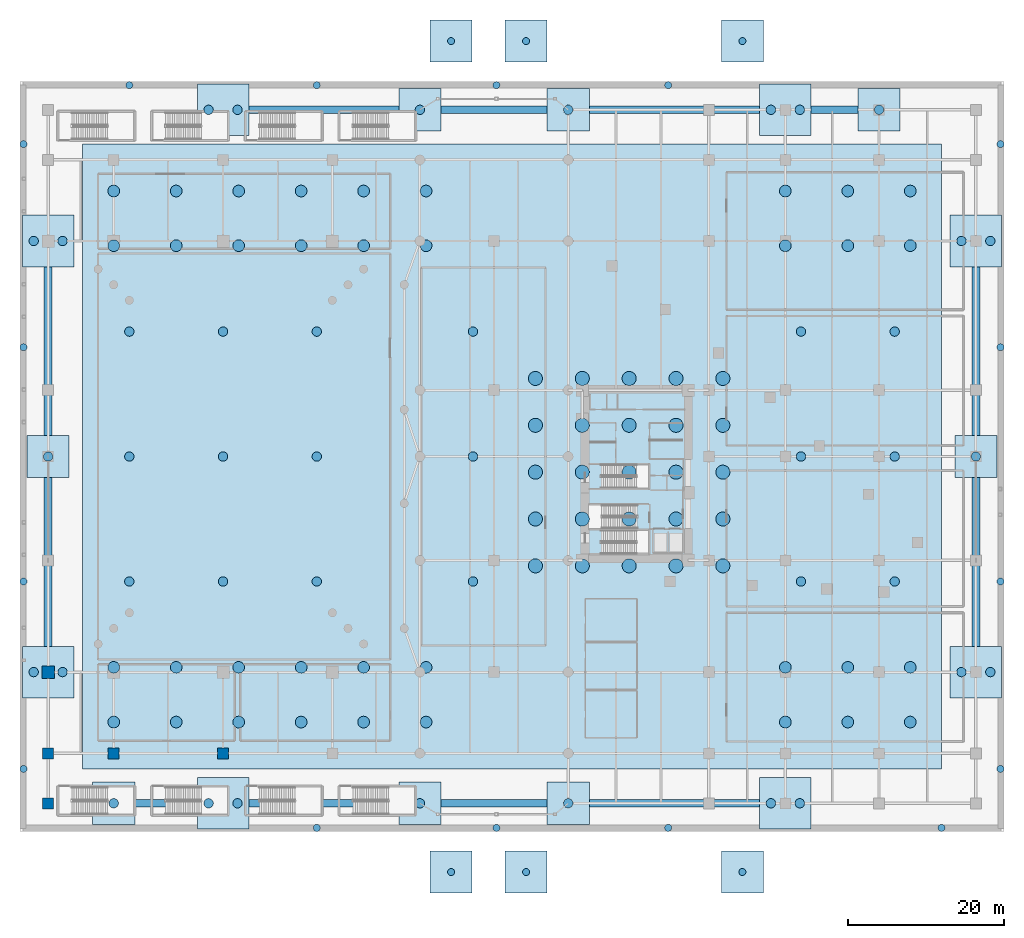
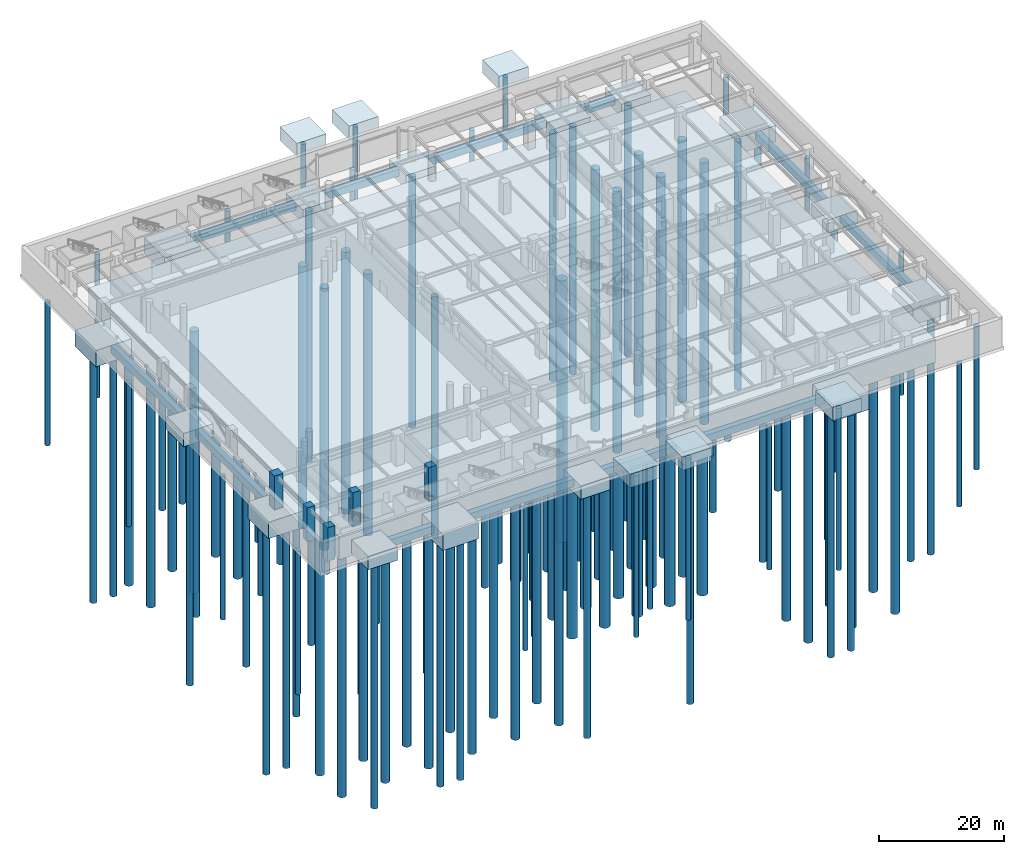
# One storey, part 1 of 37: 125 piles, 35 footings, 5 columns.
"""IFC4 building model written with IfcOpenShell, lengths in metres."""

from ifc_helpers import new_model, si_unit, direction, frame, origin, origin_2d, place, context, subcontext, project, spatial, rectangle, circle, extrude, material, layer, layer_set, material_profile, profile_set, type_object, element, save


model = new_model("IFC4")

# Units and contexts
model_context = context("Model", 3, precision=1e-05, world=origin(), true_north=direction((0.0, 1.0)))
body_context = subcontext(model_context, "Body", "Model", "MODEL_VIEW")
ifc_project = project(units=[si_unit("LENGTHUNIT", "METRE"), si_unit("AREAUNIT", "SQUARE_METRE"), si_unit("VOLUMEUNIT", "CUBIC_METRE"), si_unit("PLANEANGLEUNIT", "RADIAN"), si_unit("MASSUNIT", "GRAM", prefix="KILO")], contexts=[model_context])

# Site, building, storey
site_placement = place(None, origin())
site = spatial("IfcSite", under=ifc_project, at=site_placement, CompositionType="ELEMENT")
building_placement = place(site_placement, origin())
building = spatial("IfcBuilding", under=site, at=building_placement, Name="Narakoshi Arena Tower", CompositionType="ELEMENT")
storey_placement = place(building_placement, frame((0.0, 0.0, -6.0)))
storey = spatial("IfcBuildingStorey", under=building, at=storey_placement, Name="B01", CompositionType="ELEMENT", Elevation=-6.0)

# Footings
ifc_material_1 = material(Name="Concrete C45/55", Category="concrete")
ifc_layer_1 = layer(ifc_material_1, 2.60009765625)
ifc_layer_set_1 = layer_set([ifc_layer_1], Name="Concrete C45/55")
footing_type_1 = type_object("IfcFootingType", Name="FTG-CAP-2600", PredefinedType="PILE_CAP", material=ifc_layer_set_1)
for number, where, z_axis, x_axis, name in (
    (1, (51.199951171875, 3.60009765625, -3.199951171875), (0.0, 0.0, 1.0), (1.0, 0.0, 0.0), "B01 Perimeter Colonnade Pile Cap 01"),
    (2, (70.199951171875, 3.60009765625, -3.199951171875), (0.0, 0.0, 1.0), (1.0, 0.0, 0.0), "B01 Perimeter Colonnade Pile Cap 02"),
    (3, (51.199951171875, 92.39990234375, -3.199951171875), (0.0, 0.0, 1.0), (1.0, 0.0, 0.0), "B01 Perimeter Colonnade Pile Cap 03"),
    (4, (70.199951171875, 92.39990234375, -3.199951171875), (0.0, 0.0, 1.0), (1.0, 0.0, 0.0), "B01 Perimeter Colonnade Pile Cap 04"),
    (5, (3.60009765625, 48.0, -3.199951171875), (0.0, 0.0, 1.0), (1.0, 0.0, 0.0), "B01 Perimeter Colonnade Pile Cap 05"),
    (6, (122.39990234375, 48.0, -3.199951171875), (0.0, 0.0, 1.0), (1.0, 0.0, 0.0), "B01 Perimeter Colonnade Pile Cap 06"),
    (7, (12.0, 3.60009765625, -3.199951171875), (0.0, 0.0, 1.0), (1.0, 0.0, 0.0), "B01 Perimeter Colonnade Pile Cap 07"),
    (8, (110.0, 92.39990234375, -3.199951171875), (0.0, 0.0, 1.0), (1.0, 0.0, 0.0), "B01 Perimeter Colonnade Pile Cap 08"),
    (9, (55.199951171875, -5.199951171875, 3.0), (0.0, 0.0, 1.0), (1.0, 0.0, 0.0), "B01 Accessible Ramp Foundation Pad RMP-S1"),
    (10, (64.800048828125, -5.199951171875, 3.0), (0.0, 0.0, 1.0), (1.0, 0.0, 0.0), "B01 Accessible Ramp Foundation Pad RMP-S2"),
    (11, (92.5, -5.199951171875, 3.0), (0.0, 0.0, 1.0), (1.0, 0.0, 0.0), "B01 Accessible Ramp Foundation Pad RMP-S3"),
    (12, (55.199951171875, 101.199951171875, 3.0), (0.0, 0.0, 1.0), (1.0, 0.0, 0.0), "B01 Accessible Ramp Foundation Pad RMP-N1"),
    (13, (64.800048828125, 101.199951171875, 3.0), (0.0, 0.0, 1.0), (1.0, 0.0, 0.0), "B01 Accessible Ramp Foundation Pad RMP-N2"),
    (14, (92.5, 101.199951171875, 3.0), (0.0, 0.0, 1.0), (1.0, 0.0, 0.0), "B01 Accessible Ramp Foundation Pad RMP-N3"),
):
    element("IfcFooting", number, at=place(storey_placement, frame(where, z_axis=z_axis, x_axis=x_axis)), inside=storey, type_object=footing_type_1, Name=name, PredefinedType="PILE_CAP", context=body_context, shape_type="SweptSolid", body=[
        extrude(rectangle(XDim=5.39990234375, YDim=5.39990234375, at=origin_2d()), origin(), (0.0, 0.0, 1.0), 2.60009765625),
    ])
ifc_layer_2 = layer(ifc_material_1, 3.199951171875)
ifc_layer_set_2 = layer_set([ifc_layer_2], Name="Concrete C45/55")
footing_type_2 = type_object("IfcFootingType", Name="FTG-CAP-3200", PredefinedType="PILE_CAP", material=ifc_layer_set_2)
for number, where, z_axis, x_axis, name in (
    (15, (3.60009765625, 20.39990234375, -3.7998046875), (0.0, 0.0, 1.0), (1.0, 0.0, 0.0), "B01 Perimeter Super-Column Pile Cap 01"),
    (16, (3.60009765625, 75.60009765625, -3.7998046875), (0.0, 0.0, 1.0), (1.0, 0.0, 0.0), "B01 Perimeter Super-Column Pile Cap 02"),
    (17, (122.39990234375, 20.39990234375, -3.7998046875), (0.0, 0.0, 1.0), (1.0, 0.0, 0.0), "B01 Perimeter Super-Column Pile Cap 03"),
    (18, (122.39990234375, 75.60009765625, -3.7998046875), (0.0, 0.0, 1.0), (1.0, 0.0, 0.0), "B01 Perimeter Super-Column Pile Cap 04"),
    (19, (26.0, 3.60009765625, -3.7998046875), (0.0, 0.0, 1.0), (1.0, 0.0, 0.0), "B01 Perimeter Super-Column Pile Cap 05"),
    (20, (26.0, 92.39990234375, -3.7998046875), (0.0, 0.0, 1.0), (1.0, 0.0, 0.0), "B01 Perimeter Super-Column Pile Cap 06"),
    (21, (98.0, 3.60009765625, -3.7998046875), (0.0, 0.0, 1.0), (1.0, 0.0, 0.0), "B01 Perimeter Super-Column Pile Cap 07"),
    (22, (98.0, 92.39990234375, -3.7998046875), (0.0, 0.0, 1.0), (1.0, 0.0, 0.0), "B01 Perimeter Super-Column Pile Cap 08"),
):
    element("IfcFooting", number, at=place(storey_placement, frame(where, z_axis=z_axis, x_axis=x_axis)), inside=storey, type_object=footing_type_2, Name=name, PredefinedType="PILE_CAP", context=body_context, shape_type="SweptSolid", body=[
        extrude(rectangle(XDim=6.60009765625, YDim=6.60009765625, at=origin_2d()), origin(), (0.0, 0.0, 1.0), 3.199951171875),
    ])
ifc_material_profile_1 = material_profile(ifc_material_1, rectangle(XDim=1.0, YDim=1.39990234375, at=origin_2d()), Name="RGB1000x1400")
ifc_profile_set_1 = profile_set([ifc_material_profile_1], Name="Concrete C45/55")
footing_type_3 = type_object("IfcFootingType", Name="FTG-GB-1400", PredefinedType="FOOTING_BEAM", material=ifc_profile_set_1)
for number, where, z_axis, x_axis, name in (
    (23, (3.60009765625, 23.699951171875, -1.300048828125), (0.0, 1.0, 0.0), (-1.0, 0.0, 0.0), "B01 Perimeter Tie Ground Beam 01"),
    (24, (3.60009765625, 50.699951171875, -1.300048828125), (0.0, 1.0, 0.0), (-1.0, 0.0, 0.0), "B01 Perimeter Tie Ground Beam 02"),
    (25, (122.39990234375, 23.699951171875, -1.300048828125), (0.0, 1.0, 0.0), (-1.0, 0.0, 0.0), "B01 Perimeter Tie Ground Beam 03"),
    (26, (122.39990234375, 50.699951171875, -1.300048828125), (0.0, 1.0, 0.0), (-1.0, 0.0, 0.0), "B01 Perimeter Tie Ground Beam 04"),
):
    element("IfcFooting", number, at=place(storey_placement, frame(where, z_axis=z_axis, x_axis=x_axis)), inside=storey, type_object=footing_type_3, Name=name, PredefinedType="FOOTING_BEAM", context=body_context, shape_type="SweptSolid", body=[
        extrude(rectangle(XDim=1.0, YDim=1.39990234375, at=origin_2d()), origin(), (0.0, 0.0, 1.0), 21.60009765625),
    ])
footing_1_placement = place(storey_placement, frame((14.699951171875, 3.60009765625, -1.300048828125), z_axis=(1.0, 0.0, 0.0), x_axis=(0.0, 1.0, 0.0)))
element("IfcFooting", 27, at=footing_1_placement, inside=storey, type_object=footing_type_3, Name="B01 Perimeter Tie Ground Beam 05", PredefinedType="FOOTING_BEAM", context=body_context, shape_type="SweptSolid", body=[
    extrude(rectangle(XDim=1.0, YDim=1.39990234375, at=origin_2d()), origin(), (0.0, 0.0, 1.0), 8.0),
])
footing_2_placement = place(storey_placement, frame((29.300048828125, 3.60009765625, -1.300048828125), z_axis=(1.0, 0.0, 0.0), x_axis=(0.0, 1.0, 0.0)))
element("IfcFooting", 28, at=footing_2_placement, inside=storey, type_object=footing_type_3, Name="B01 Perimeter Tie Ground Beam 06", PredefinedType="FOOTING_BEAM", context=body_context, shape_type="SweptSolid", body=[
    extrude(rectangle(XDim=1.0, YDim=1.39990234375, at=origin_2d()), origin(), (0.0, 0.0, 1.0), 19.199951171875),
])
footing_3_placement = place(storey_placement, frame((53.89990234375, 3.60009765625, -1.300048828125), z_axis=(1.0, 0.0, 0.0), x_axis=(0.0, 1.0, 0.0)))
element("IfcFooting", 29, at=footing_3_placement, inside=storey, type_object=footing_type_3, Name="B01 Perimeter Tie Ground Beam 07", PredefinedType="FOOTING_BEAM", context=body_context, shape_type="SweptSolid", body=[
    extrude(rectangle(XDim=1.0, YDim=1.39990234375, at=origin_2d()), origin(), (0.0, 0.0, 1.0), 13.60009765625),
])
footing_4_placement = place(storey_placement, frame((72.89990234375, 3.60009765625, -1.300048828125), z_axis=(1.0, 0.0, 0.0), x_axis=(0.0, 1.0, 0.0)))
element("IfcFooting", 30, at=footing_4_placement, inside=storey, type_object=footing_type_3, Name="B01 Perimeter Tie Ground Beam 08", PredefinedType="FOOTING_BEAM", context=body_context, shape_type="SweptSolid", body=[
    extrude(rectangle(XDim=1.0, YDim=1.39990234375, at=origin_2d()), origin(), (0.0, 0.0, 1.0), 21.800048828125),
])
footing_5_placement = place(storey_placement, frame((29.300048828125, 92.39990234375, -1.300048828125), z_axis=(1.0, 0.0, 0.0), x_axis=(0.0, 1.0, 0.0)))
element("IfcFooting", 31, at=footing_5_placement, inside=storey, type_object=footing_type_3, Name="B01 Perimeter Tie Ground Beam 09", PredefinedType="FOOTING_BEAM", context=body_context, shape_type="SweptSolid", body=[
    extrude(rectangle(XDim=1.0, YDim=1.39990234375, at=origin_2d()), origin(), (0.0, 0.0, 1.0), 19.199951171875),
])
footing_6_placement = place(storey_placement, frame((53.89990234375, 92.39990234375, -1.300048828125), z_axis=(1.0, 0.0, 0.0), x_axis=(0.0, 1.0, 0.0)))
element("IfcFooting", 32, at=footing_6_placement, inside=storey, type_object=footing_type_3, Name="B01 Perimeter Tie Ground Beam 10", PredefinedType="FOOTING_BEAM", context=body_context, shape_type="SweptSolid", body=[
    extrude(rectangle(XDim=1.0, YDim=1.39990234375, at=origin_2d()), origin(), (0.0, 0.0, 1.0), 13.60009765625),
])
footing_7_placement = place(storey_placement, frame((72.89990234375, 92.39990234375, -1.300048828125), z_axis=(1.0, 0.0, 0.0), x_axis=(0.0, 1.0, 0.0)))
element("IfcFooting", 33, at=footing_7_placement, inside=storey, type_object=footing_type_3, Name="B01 Perimeter Tie Ground Beam 11", PredefinedType="FOOTING_BEAM", context=body_context, shape_type="SweptSolid", body=[
    extrude(rectangle(XDim=1.0, YDim=1.39990234375, at=origin_2d()), origin(), (0.0, 0.0, 1.0), 21.800048828125),
])
footing_8_placement = place(storey_placement, frame((101.300048828125, 92.39990234375, -1.300048828125), z_axis=(1.0, 0.0, 0.0), x_axis=(0.0, 1.0, 0.0)))
element("IfcFooting", 34, at=footing_8_placement, inside=storey, type_object=footing_type_3, Name="B01 Perimeter Tie Ground Beam 12", PredefinedType="FOOTING_BEAM", context=body_context, shape_type="SweptSolid", body=[
    extrude(rectangle(XDim=1.0, YDim=1.39990234375, at=origin_2d()), origin(), (0.0, 0.0, 1.0), 6.0),
])
ifc_layer_3 = layer(ifc_material_1, 4.5)
ifc_layer_set_3 = layer_set([ifc_layer_3], Name="Concrete C45/55")
footing_type_4 = type_object("IfcFootingType", Name="FTG-RAFT-4500", PredefinedType="USERDEFINED", material=ifc_layer_set_3)
footing_9_placement = place(storey_placement, frame((63.0, 48.0, -5.10009765625), z_axis=(0.0, 0.0, 1.0), x_axis=(1.0, 0.0, 0.0)))
element("IfcFooting", 35, at=footing_9_placement, inside=storey, type_object=footing_type_4, Name="B01 Monolithic Piled Raft Foundation", ObjectType="MAT_FOUNDATION", PredefinedType="USERDEFINED", context=body_context, shape_type="SweptSolid", body=[
    extrude(rectangle(XDim=110.0, YDim=80.0, at=origin_2d()), origin(), (0.0, 0.0, 1.0), 4.5),
])

# Piles
ifc_material_profile_2 = material_profile(ifc_material_1, circle(Radius=0.60009765625, at=origin_2d()), Name="PILE-D1200")
ifc_profile_set_2 = profile_set([ifc_material_profile_2], Name="Concrete C45/55")
pile_type_1 = type_object("IfcPileType", Name="PIL-B1200", PredefinedType="BORED", material=ifc_profile_set_2)
for number, where, z_axis, x_axis, name in (
    (36, (14.0, 32.0, -4.949951171875), (0.0, 0.0, -1.0), (1.0, 0.0, 0.0), "Podium Grid Bored Pile P12-062"),
    (37, (14.0, 48.0, -4.949951171875), (0.0, 0.0, -1.0), (1.0, 0.0, 0.0), "Podium Grid Bored Pile P12-063"),
    (38, (14.0, 64.0, -4.949951171875), (0.0, 0.0, -1.0), (1.0, 0.0, 0.0), "Podium Grid Bored Pile P12-064"),
    (39, (26.0, 32.0, -4.949951171875), (0.0, 0.0, -1.0), (1.0, 0.0, 0.0), "Podium Grid Bored Pile P12-065"),
    (40, (26.0, 48.0, -4.949951171875), (0.0, 0.0, -1.0), (1.0, 0.0, 0.0), "Podium Grid Bored Pile P12-066"),
    (41, (26.0, 64.0, -4.949951171875), (0.0, 0.0, -1.0), (1.0, 0.0, 0.0), "Podium Grid Bored Pile P12-067"),
    (42, (38.0, 32.0, -4.949951171875), (0.0, 0.0, -1.0), (1.0, 0.0, 0.0), "Podium Grid Bored Pile P12-068"),
    (43, (38.0, 48.0, -4.949951171875), (0.0, 0.0, -1.0), (1.0, 0.0, 0.0), "Podium Grid Bored Pile P12-069"),
    (44, (38.0, 64.0, -4.949951171875), (0.0, 0.0, -1.0), (1.0, 0.0, 0.0), "Podium Grid Bored Pile P12-070"),
    (45, (58.0, 32.0, -4.949951171875), (0.0, 0.0, -1.0), (1.0, 0.0, 0.0), "Podium Grid Bored Pile P12-071"),
    (46, (58.0, 48.0, -4.949951171875), (0.0, 0.0, -1.0), (1.0, 0.0, 0.0), "Podium Grid Bored Pile P12-072"),
    (47, (58.0, 64.0, -4.949951171875), (0.0, 0.0, -1.0), (1.0, 0.0, 0.0), "Podium Grid Bored Pile P12-073"),
    (48, (100.0, 32.0, -4.949951171875), (0.0, 0.0, -1.0), (1.0, 0.0, 0.0), "Podium Grid Bored Pile P12-074"),
    (49, (100.0, 48.0, -4.949951171875), (0.0, 0.0, -1.0), (1.0, 0.0, 0.0), "Podium Grid Bored Pile P12-075"),
    (50, (100.0, 64.0, -4.949951171875), (0.0, 0.0, -1.0), (1.0, 0.0, 0.0), "Podium Grid Bored Pile P12-076"),
    (51, (112.0, 32.0, -4.949951171875), (0.0, 0.0, -1.0), (1.0, 0.0, 0.0), "Podium Grid Bored Pile P12-077"),
    (52, (112.0, 48.0, -4.949951171875), (0.0, 0.0, -1.0), (1.0, 0.0, 0.0), "Podium Grid Bored Pile P12-078"),
    (53, (112.0, 64.0, -4.949951171875), (0.0, 0.0, -1.0), (1.0, 0.0, 0.0), "Podium Grid Bored Pile P12-079"),
):
    element("IfcPile", number, at=place(storey_placement, frame(where, z_axis=z_axis, x_axis=x_axis)), inside=storey, type_object=pile_type_1, Name=name, PredefinedType="BORED", context=body_context, shape_type="SweptSolid", body=[
        extrude(circle(Radius=0.60009765625, at=origin_2d()), origin(), (0.0, 0.0, 1.0), 47.050048828125),
    ])
for number, where, z_axis, x_axis, name in (
    (54, (1.75, 20.39990234375, -3.64990234375), (0.0, 0.0, -1.0), (1.0, 0.0, 0.0), "Perimeter Cap Bored Pile P12-080"),
    (55, (5.449951171875, 20.39990234375, -3.64990234375), (0.0, 0.0, -1.0), (1.0, 0.0, 0.0), "Perimeter Cap Bored Pile P12-081"),
    (56, (1.75, 75.60009765625, -3.64990234375), (0.0, 0.0, -1.0), (1.0, 0.0, 0.0), "Perimeter Cap Bored Pile P12-082"),
    (57, (5.449951171875, 75.60009765625, -3.64990234375), (0.0, 0.0, -1.0), (1.0, 0.0, 0.0), "Perimeter Cap Bored Pile P12-083"),
    (58, (120.550048828125, 20.39990234375, -3.64990234375), (0.0, 0.0, -1.0), (1.0, 0.0, 0.0), "Perimeter Cap Bored Pile P12-084"),
    (59, (124.25, 20.39990234375, -3.64990234375), (0.0, 0.0, -1.0), (1.0, 0.0, 0.0), "Perimeter Cap Bored Pile P12-085"),
    (60, (120.550048828125, 75.60009765625, -3.64990234375), (0.0, 0.0, -1.0), (1.0, 0.0, 0.0), "Perimeter Cap Bored Pile P12-086"),
    (61, (124.25, 75.60009765625, -3.64990234375), (0.0, 0.0, -1.0), (1.0, 0.0, 0.0), "Perimeter Cap Bored Pile P12-087"),
    (62, (24.14990234375, 3.60009765625, -3.64990234375), (0.0, 0.0, -1.0), (1.0, 0.0, 0.0), "Perimeter Cap Bored Pile P12-088"),
    (63, (27.85009765625, 3.60009765625, -3.64990234375), (0.0, 0.0, -1.0), (1.0, 0.0, 0.0), "Perimeter Cap Bored Pile P12-089"),
    (64, (24.14990234375, 92.39990234375, -3.64990234375), (0.0, 0.0, -1.0), (1.0, 0.0, 0.0), "Perimeter Cap Bored Pile P12-090"),
    (65, (27.85009765625, 92.39990234375, -3.64990234375), (0.0, 0.0, -1.0), (1.0, 0.0, 0.0), "Perimeter Cap Bored Pile P12-091"),
    (66, (96.14990234375, 3.60009765625, -3.64990234375), (0.0, 0.0, -1.0), (1.0, 0.0, 0.0), "Perimeter Cap Bored Pile P12-092"),
    (67, (99.85009765625, 3.60009765625, -3.64990234375), (0.0, 0.0, -1.0), (1.0, 0.0, 0.0), "Perimeter Cap Bored Pile P12-093"),
    (68, (96.14990234375, 92.39990234375, -3.64990234375), (0.0, 0.0, -1.0), (1.0, 0.0, 0.0), "Perimeter Cap Bored Pile P12-094"),
    (69, (99.85009765625, 92.39990234375, -3.64990234375), (0.0, 0.0, -1.0), (1.0, 0.0, 0.0), "Perimeter Cap Bored Pile P12-095"),
):
    element("IfcPile", number, at=place(storey_placement, frame(where, z_axis=z_axis, x_axis=x_axis)), inside=storey, type_object=pile_type_1, Name=name, PredefinedType="BORED", context=body_context, shape_type="SweptSolid", body=[
        extrude(circle(Radius=0.60009765625, at=origin_2d()), origin(), (0.0, 0.0, 1.0), 48.35009765625),
    ])
for number, where, z_axis, x_axis, name in (
    (70, (51.199951171875, 3.60009765625, -3.050048828125), (0.0, 0.0, -1.0), (1.0, 0.0, 0.0), "Perimeter Cap Bored Pile P12-096"),
    (71, (70.199951171875, 3.60009765625, -3.050048828125), (0.0, 0.0, -1.0), (1.0, 0.0, 0.0), "Perimeter Cap Bored Pile P12-097"),
    (72, (51.199951171875, 92.39990234375, -3.050048828125), (0.0, 0.0, -1.0), (1.0, 0.0, 0.0), "Perimeter Cap Bored Pile P12-098"),
    (73, (70.199951171875, 92.39990234375, -3.050048828125), (0.0, 0.0, -1.0), (1.0, 0.0, 0.0), "Perimeter Cap Bored Pile P12-099"),
    (74, (3.60009765625, 48.0, -3.050048828125), (0.0, 0.0, -1.0), (1.0, 0.0, 0.0), "Perimeter Cap Bored Pile P12-100"),
    (75, (122.39990234375, 48.0, -3.050048828125), (0.0, 0.0, -1.0), (1.0, 0.0, 0.0), "Perimeter Cap Bored Pile P12-101"),
    (76, (12.0, 3.60009765625, -3.050048828125), (0.0, 0.0, -1.0), (1.0, 0.0, 0.0), "Perimeter Cap Bored Pile P12-102"),
    (77, (110.0, 92.39990234375, -3.050048828125), (0.0, 0.0, -1.0), (1.0, 0.0, 0.0), "Perimeter Cap Bored Pile P12-103"),
):
    element("IfcPile", number, at=place(storey_placement, frame(where, z_axis=z_axis, x_axis=x_axis)), inside=storey, type_object=pile_type_1, Name=name, PredefinedType="BORED", context=body_context, shape_type="SweptSolid", body=[
        extrude(circle(Radius=0.60009765625, at=origin_2d()), origin(), (0.0, 0.0, 1.0), 48.949951171875),
    ])
ifc_material_profile_3 = material_profile(ifc_material_1, circle(Radius=0.75, at=origin_2d()), Name="PILE-D1500")
ifc_profile_set_3 = profile_set([ifc_material_profile_3], Name="Concrete C45/55")
pile_type_2 = type_object("IfcPileType", Name="PIL-B1500", PredefinedType="BORED", material=ifc_profile_set_3)
for number, where, z_axis, x_axis, name in (
    (78, (12.0, 14.0, -4.949951171875), (0.0, 0.0, -1.0), (1.0, 0.0, 0.0), "Arena & Transfer Bored Pile P15-026"),
    (79, (12.0, 21.0, -4.949951171875), (0.0, 0.0, -1.0), (1.0, 0.0, 0.0), "Arena & Transfer Bored Pile P15-027"),
    (80, (12.0, 75.0, -4.949951171875), (0.0, 0.0, -1.0), (1.0, 0.0, 0.0), "Arena & Transfer Bored Pile P15-028"),
    (81, (12.0, 82.0, -4.949951171875), (0.0, 0.0, -1.0), (1.0, 0.0, 0.0), "Arena & Transfer Bored Pile P15-029"),
    (82, (20.0, 14.0, -4.949951171875), (0.0, 0.0, -1.0), (1.0, 0.0, 0.0), "Arena & Transfer Bored Pile P15-030"),
    (83, (20.0, 21.0, -4.949951171875), (0.0, 0.0, -1.0), (1.0, 0.0, 0.0), "Arena & Transfer Bored Pile P15-031"),
    (84, (20.0, 75.0, -4.949951171875), (0.0, 0.0, -1.0), (1.0, 0.0, 0.0), "Arena & Transfer Bored Pile P15-032"),
    (85, (20.0, 82.0, -4.949951171875), (0.0, 0.0, -1.0), (1.0, 0.0, 0.0), "Arena & Transfer Bored Pile P15-033"),
    (86, (28.0, 14.0, -4.949951171875), (0.0, 0.0, -1.0), (1.0, 0.0, 0.0), "Arena & Transfer Bored Pile P15-034"),
    (87, (28.0, 21.0, -4.949951171875), (0.0, 0.0, -1.0), (1.0, 0.0, 0.0), "Arena & Transfer Bored Pile P15-035"),
    (88, (28.0, 75.0, -4.949951171875), (0.0, 0.0, -1.0), (1.0, 0.0, 0.0), "Arena & Transfer Bored Pile P15-036"),
    (89, (28.0, 82.0, -4.949951171875), (0.0, 0.0, -1.0), (1.0, 0.0, 0.0), "Arena & Transfer Bored Pile P15-037"),
    (90, (36.0, 14.0, -4.949951171875), (0.0, 0.0, -1.0), (1.0, 0.0, 0.0), "Arena & Transfer Bored Pile P15-038"),
    (91, (36.0, 21.0, -4.949951171875), (0.0, 0.0, -1.0), (1.0, 0.0, 0.0), "Arena & Transfer Bored Pile P15-039"),
    (92, (36.0, 75.0, -4.949951171875), (0.0, 0.0, -1.0), (1.0, 0.0, 0.0), "Arena & Transfer Bored Pile P15-040"),
    (93, (36.0, 82.0, -4.949951171875), (0.0, 0.0, -1.0), (1.0, 0.0, 0.0), "Arena & Transfer Bored Pile P15-041"),
    (94, (44.0, 14.0, -4.949951171875), (0.0, 0.0, -1.0), (1.0, 0.0, 0.0), "Arena & Transfer Bored Pile P15-042"),
    (95, (44.0, 21.0, -4.949951171875), (0.0, 0.0, -1.0), (1.0, 0.0, 0.0), "Arena & Transfer Bored Pile P15-043"),
    (96, (44.0, 75.0, -4.949951171875), (0.0, 0.0, -1.0), (1.0, 0.0, 0.0), "Arena & Transfer Bored Pile P15-044"),
    (97, (44.0, 82.0, -4.949951171875), (0.0, 0.0, -1.0), (1.0, 0.0, 0.0), "Arena & Transfer Bored Pile P15-045"),
    (98, (52.0, 14.0, -4.949951171875), (0.0, 0.0, -1.0), (1.0, 0.0, 0.0), "Arena & Transfer Bored Pile P15-046"),
    (99, (52.0, 21.0, -4.949951171875), (0.0, 0.0, -1.0), (1.0, 0.0, 0.0), "Arena & Transfer Bored Pile P15-047"),
    (100, (52.0, 75.0, -4.949951171875), (0.0, 0.0, -1.0), (1.0, 0.0, 0.0), "Arena & Transfer Bored Pile P15-048"),
    (101, (52.0, 82.0, -4.949951171875), (0.0, 0.0, -1.0), (1.0, 0.0, 0.0), "Arena & Transfer Bored Pile P15-049"),
    (102, (98.0, 14.0, -4.949951171875), (0.0, 0.0, -1.0), (1.0, 0.0, 0.0), "Arena & Transfer Bored Pile P15-050"),
    (103, (98.0, 21.0, -4.949951171875), (0.0, 0.0, -1.0), (1.0, 0.0, 0.0), "Arena & Transfer Bored Pile P15-051"),
    (104, (98.0, 75.0, -4.949951171875), (0.0, 0.0, -1.0), (1.0, 0.0, 0.0), "Arena & Transfer Bored Pile P15-052"),
    (105, (98.0, 82.0, -4.949951171875), (0.0, 0.0, -1.0), (1.0, 0.0, 0.0), "Arena & Transfer Bored Pile P15-053"),
    (106, (106.0, 14.0, -4.949951171875), (0.0, 0.0, -1.0), (1.0, 0.0, 0.0), "Arena & Transfer Bored Pile P15-054"),
    (107, (106.0, 21.0, -4.949951171875), (0.0, 0.0, -1.0), (1.0, 0.0, 0.0), "Arena & Transfer Bored Pile P15-055"),
    (108, (106.0, 75.0, -4.949951171875), (0.0, 0.0, -1.0), (1.0, 0.0, 0.0), "Arena & Transfer Bored Pile P15-056"),
    (109, (106.0, 82.0, -4.949951171875), (0.0, 0.0, -1.0), (1.0, 0.0, 0.0), "Arena & Transfer Bored Pile P15-057"),
    (110, (114.0, 14.0, -4.949951171875), (0.0, 0.0, -1.0), (1.0, 0.0, 0.0), "Arena & Transfer Bored Pile P15-058"),
    (111, (114.0, 21.0, -4.949951171875), (0.0, 0.0, -1.0), (1.0, 0.0, 0.0), "Arena & Transfer Bored Pile P15-059"),
    (112, (114.0, 75.0, -4.949951171875), (0.0, 0.0, -1.0), (1.0, 0.0, 0.0), "Arena & Transfer Bored Pile P15-060"),
    (113, (114.0, 82.0, -4.949951171875), (0.0, 0.0, -1.0), (1.0, 0.0, 0.0), "Arena & Transfer Bored Pile P15-061"),
):
    element("IfcPile", number, at=place(storey_placement, frame(where, z_axis=z_axis, x_axis=x_axis)), inside=storey, type_object=pile_type_2, Name=name, PredefinedType="BORED", context=body_context, shape_type="SweptSolid", body=[
        extrude(circle(Radius=0.75, at=origin_2d()), origin(), (0.0, 0.0, 1.0), 51.050048828125),
    ])
ifc_material_profile_4 = material_profile(ifc_material_1, circle(Radius=0.89990234375, at=origin_2d()), Name="PILE-D1800")
ifc_profile_set_4 = profile_set([ifc_material_profile_4], Name="Concrete C45/55")
pile_type_3 = type_object("IfcPileType", Name="PIL-B1800", PredefinedType="BORED", material=ifc_profile_set_4)
for number, where, z_axis, x_axis, name in (
    (114, (66.0, 34.0, -4.949951171875), (0.0, 0.0, -1.0), (1.0, 0.0, 0.0), "Tower Core Bored Pile P18-001"),
    (115, (66.0, 40.0, -4.949951171875), (0.0, 0.0, -1.0), (1.0, 0.0, 0.0), "Tower Core Bored Pile P18-002"),
    (116, (66.0, 46.0, -4.949951171875), (0.0, 0.0, -1.0), (1.0, 0.0, 0.0), "Tower Core Bored Pile P18-003"),
    (117, (66.0, 52.0, -4.949951171875), (0.0, 0.0, -1.0), (1.0, 0.0, 0.0), "Tower Core Bored Pile P18-004"),
    (118, (66.0, 58.0, -4.949951171875), (0.0, 0.0, -1.0), (1.0, 0.0, 0.0), "Tower Core Bored Pile P18-005"),
    (119, (72.0, 34.0, -4.949951171875), (0.0, 0.0, -1.0), (1.0, 0.0, 0.0), "Tower Core Bored Pile P18-006"),
    (120, (72.0, 40.0, -4.949951171875), (0.0, 0.0, -1.0), (1.0, 0.0, 0.0), "Tower Core Bored Pile P18-007"),
    (121, (72.0, 46.0, -4.949951171875), (0.0, 0.0, -1.0), (1.0, 0.0, 0.0), "Tower Core Bored Pile P18-008"),
    (122, (72.0, 52.0, -4.949951171875), (0.0, 0.0, -1.0), (1.0, 0.0, 0.0), "Tower Core Bored Pile P18-009"),
    (123, (72.0, 58.0, -4.949951171875), (0.0, 0.0, -1.0), (1.0, 0.0, 0.0), "Tower Core Bored Pile P18-010"),
    (124, (78.0, 34.0, -4.949951171875), (0.0, 0.0, -1.0), (1.0, 0.0, 0.0), "Tower Core Bored Pile P18-011"),
    (125, (78.0, 40.0, -4.949951171875), (0.0, 0.0, -1.0), (1.0, 0.0, 0.0), "Tower Core Bored Pile P18-012"),
    (126, (78.0, 46.0, -4.949951171875), (0.0, 0.0, -1.0), (1.0, 0.0, 0.0), "Tower Core Bored Pile P18-013"),
    (127, (78.0, 52.0, -4.949951171875), (0.0, 0.0, -1.0), (1.0, 0.0, 0.0), "Tower Core Bored Pile P18-014"),
    (128, (78.0, 58.0, -4.949951171875), (0.0, 0.0, -1.0), (1.0, 0.0, 0.0), "Tower Core Bored Pile P18-015"),
    (129, (84.0, 34.0, -4.949951171875), (0.0, 0.0, -1.0), (1.0, 0.0, 0.0), "Tower Core Bored Pile P18-016"),
    (130, (84.0, 40.0, -4.949951171875), (0.0, 0.0, -1.0), (1.0, 0.0, 0.0), "Tower Core Bored Pile P18-017"),
    (131, (84.0, 46.0, -4.949951171875), (0.0, 0.0, -1.0), (1.0, 0.0, 0.0), "Tower Core Bored Pile P18-018"),
    (132, (84.0, 52.0, -4.949951171875), (0.0, 0.0, -1.0), (1.0, 0.0, 0.0), "Tower Core Bored Pile P18-019"),
    (133, (84.0, 58.0, -4.949951171875), (0.0, 0.0, -1.0), (1.0, 0.0, 0.0), "Tower Core Bored Pile P18-020"),
    (134, (90.0, 34.0, -4.949951171875), (0.0, 0.0, -1.0), (1.0, 0.0, 0.0), "Tower Core Bored Pile P18-021"),
    (135, (90.0, 40.0, -4.949951171875), (0.0, 0.0, -1.0), (1.0, 0.0, 0.0), "Tower Core Bored Pile P18-022"),
    (136, (90.0, 46.0, -4.949951171875), (0.0, 0.0, -1.0), (1.0, 0.0, 0.0), "Tower Core Bored Pile P18-023"),
    (137, (90.0, 52.0, -4.949951171875), (0.0, 0.0, -1.0), (1.0, 0.0, 0.0), "Tower Core Bored Pile P18-024"),
    (138, (90.0, 58.0, -4.949951171875), (0.0, 0.0, -1.0), (1.0, 0.0, 0.0), "Tower Core Bored Pile P18-025"),
):
    element("IfcPile", number, at=place(storey_placement, frame(where, z_axis=z_axis, x_axis=x_axis)), inside=storey, type_object=pile_type_3, Name=name, PredefinedType="BORED", context=body_context, shape_type="SweptSolid", body=[
        extrude(circle(Radius=0.89990234375, at=origin_2d()), origin(), (0.0, 0.0, 1.0), 51.050048828125),
    ])
ifc_material_2 = material(Name="Concrete C40/50", Category="concrete")
ifc_material_profile_5 = material_profile(ifc_material_2, circle(Radius=0.449951171875, at=origin_2d()), Name="PILE-D900")
ifc_profile_set_5 = profile_set([ifc_material_profile_5], Name="Concrete C40/50")
pile_type_4 = type_object("IfcPileType", Name="PIL-S900", PredefinedType="SUPPORT", material=ifc_profile_set_5)
for number, where, z_axis, x_axis, name in (
    (139, (0.449951171875, 8.0, -0.449951171875), (0.0, 0.0, -1.0), (1.0, 0.0, 0.0), "Basement Secant Support Pile PS9-104"),
    (140, (0.449951171875, 32.0, -0.449951171875), (0.0, 0.0, -1.0), (1.0, 0.0, 0.0), "Basement Secant Support Pile PS9-105"),
    (141, (0.449951171875, 62.0, -0.449951171875), (0.0, 0.0, -1.0), (1.0, 0.0, 0.0), "Basement Secant Support Pile PS9-106"),
    (142, (0.449951171875, 88.0, -0.449951171875), (0.0, 0.0, -1.0), (1.0, 0.0, 0.0), "Basement Secant Support Pile PS9-107"),
    (143, (125.550048828125, 8.0, -0.449951171875), (0.0, 0.0, -1.0), (1.0, 0.0, 0.0), "Basement Secant Support Pile PS9-108"),
    (144, (125.550048828125, 32.0, -0.449951171875), (0.0, 0.0, -1.0), (1.0, 0.0, 0.0), "Basement Secant Support Pile PS9-109"),
    (145, (125.550048828125, 62.0, -0.449951171875), (0.0, 0.0, -1.0), (1.0, 0.0, 0.0), "Basement Secant Support Pile PS9-110"),
    (146, (125.550048828125, 88.0, -0.449951171875), (0.0, 0.0, -1.0), (1.0, 0.0, 0.0), "Basement Secant Support Pile PS9-111"),
    (147, (38.0, 0.449951171875, -0.449951171875), (0.0, 0.0, -1.0), (1.0, 0.0, 0.0), "Basement Secant Support Pile PS9-112"),
    (148, (61.0, 0.449951171875, -0.449951171875), (0.0, 0.0, -1.0), (1.0, 0.0, 0.0), "Basement Secant Support Pile PS9-113"),
    (149, (83.0, 0.449951171875, -0.449951171875), (0.0, 0.0, -1.0), (1.0, 0.0, 0.0), "Basement Secant Support Pile PS9-114"),
    (150, (118.0, 0.449951171875, -0.449951171875), (0.0, 0.0, -1.0), (1.0, 0.0, 0.0), "Basement Secant Support Pile PS9-115"),
    (151, (14.0, 95.550048828125, -0.449951171875), (0.0, 0.0, -1.0), (1.0, 0.0, 0.0), "Basement Secant Support Pile PS9-116"),
    (152, (38.0, 95.550048828125, -0.449951171875), (0.0, 0.0, -1.0), (1.0, 0.0, 0.0), "Basement Secant Support Pile PS9-117"),
    (153, (61.0, 95.550048828125, -0.449951171875), (0.0, 0.0, -1.0), (1.0, 0.0, 0.0), "Basement Secant Support Pile PS9-118"),
    (154, (83.0, 95.550048828125, -0.449951171875), (0.0, 0.0, -1.0), (1.0, 0.0, 0.0), "Basement Secant Support Pile PS9-119"),
):
    element("IfcPile", number, at=place(storey_placement, frame(where, z_axis=z_axis, x_axis=x_axis)), inside=storey, type_object=pile_type_4, Name=name, PredefinedType="SUPPORT", context=body_context, shape_type="SweptSolid", body=[
        extrude(circle(Radius=0.449951171875, at=origin_2d()), origin(), (0.0, 0.0, 1.0), 28.0),
    ])
for number, where, z_axis, x_axis, name in (
    (155, (55.199951171875, -5.199951171875, 3.14990234375), (0.0, 0.0, -1.0), (1.0, 0.0, 0.0), "Accessible Ramp Bored Pile PS9-120"),
    (156, (64.800048828125, -5.199951171875, 3.14990234375), (0.0, 0.0, -1.0), (1.0, 0.0, 0.0), "Accessible Ramp Bored Pile PS9-121"),
    (157, (92.5, -5.199951171875, 3.14990234375), (0.0, 0.0, -1.0), (1.0, 0.0, 0.0), "Accessible Ramp Bored Pile PS9-122"),
    (158, (55.199951171875, 101.199951171875, 3.14990234375), (0.0, 0.0, -1.0), (1.0, 0.0, 0.0), "Accessible Ramp Bored Pile PS9-123"),
    (159, (64.800048828125, 101.199951171875, 3.14990234375), (0.0, 0.0, -1.0), (1.0, 0.0, 0.0), "Accessible Ramp Bored Pile PS9-124"),
    (160, (92.5, 101.199951171875, 3.14990234375), (0.0, 0.0, -1.0), (1.0, 0.0, 0.0), "Accessible Ramp Bored Pile PS9-125"),
):
    element("IfcPile", number, at=place(storey_placement, frame(where, z_axis=z_axis, x_axis=x_axis)), inside=storey, type_object=pile_type_4, Name=name, PredefinedType="SUPPORT", context=body_context, shape_type="SweptSolid", body=[
        extrude(circle(Radius=0.449951171875, at=origin_2d()), origin(), (0.0, 0.0, 1.0), 31.60009765625),
    ])

# Columns
ifc_material_3 = material(Name="Concrete C60/75", Category="concrete")
ifc_material_profile_6 = material_profile(ifc_material_3, rectangle(XDim=1.39990234375, YDim=1.39990234375, at=origin_2d()), Name="RC1400x1400")
ifc_profile_set_6 = profile_set([ifc_material_profile_6], Name="Concrete C60/75")
column_type_1 = type_object("IfcColumnType", Name="COL-RC1400", PredefinedType="COLUMN", material=ifc_profile_set_6)
for number, where, z_axis, x_axis, name in (
    (161, (3.60009765625, 3.60009765625, -0.60009765625), (0.0, 0.0, 1.0), (1.0, 0.0, 0.0), "B01 Podium Column PC01"),
    (162, (3.60009765625, 10.0, -0.60009765625), (0.0, 0.0, 1.0), (1.0, 0.0, 0.0), "B01 Podium Column PC02"),
    (163, (12.0, 10.0, -0.60009765625), (0.0, 0.0, 1.0), (1.0, 0.0, 0.0), "B01 Podium Column PC10"),
    (164, (26.0, 10.0, -0.60009765625), (0.0, 0.0, 1.0), (1.0, 0.0, 0.0), "B01 Podium Column PC14"),
):
    element("IfcColumn", number, at=place(storey_placement, frame(where, z_axis=z_axis, x_axis=x_axis)), inside=storey, type_object=column_type_1, Name=name, PredefinedType="COLUMN", context=body_context, shape_type="SweptSolid", body=[
        extrude(rectangle(XDim=1.39990234375, YDim=1.39990234375, at=origin_2d()), origin(), (0.0, 0.0, 1.0), 6.60009765625),
    ])
ifc_material_profile_7 = material_profile(ifc_material_3, rectangle(XDim=1.60009765625, YDim=1.60009765625, at=origin_2d()), Name="RC1600x1600")
ifc_profile_set_7 = profile_set([ifc_material_profile_7], Name="Concrete C60/75")
column_type_2 = type_object("IfcColumnType", Name="COL-RC1600", PredefinedType="COLUMN", material=ifc_profile_set_7)
column_placement = place(storey_placement, frame((3.60009765625, 20.39990234375, -0.60009765625), z_axis=(0.0, 0.0, 1.0), x_axis=(1.0, 0.0, 0.0)))
element("IfcColumn", 165, at=column_placement, inside=storey, type_object=column_type_2, Name="B01 Podium Column PC03", PredefinedType="COLUMN", context=body_context, shape_type="SweptSolid", body=[
    extrude(rectangle(XDim=1.60009765625, YDim=1.60009765625, at=origin_2d()), origin(), (0.0, 0.0, 1.0), 6.60009765625),
])

save(model, "model.ifc")
